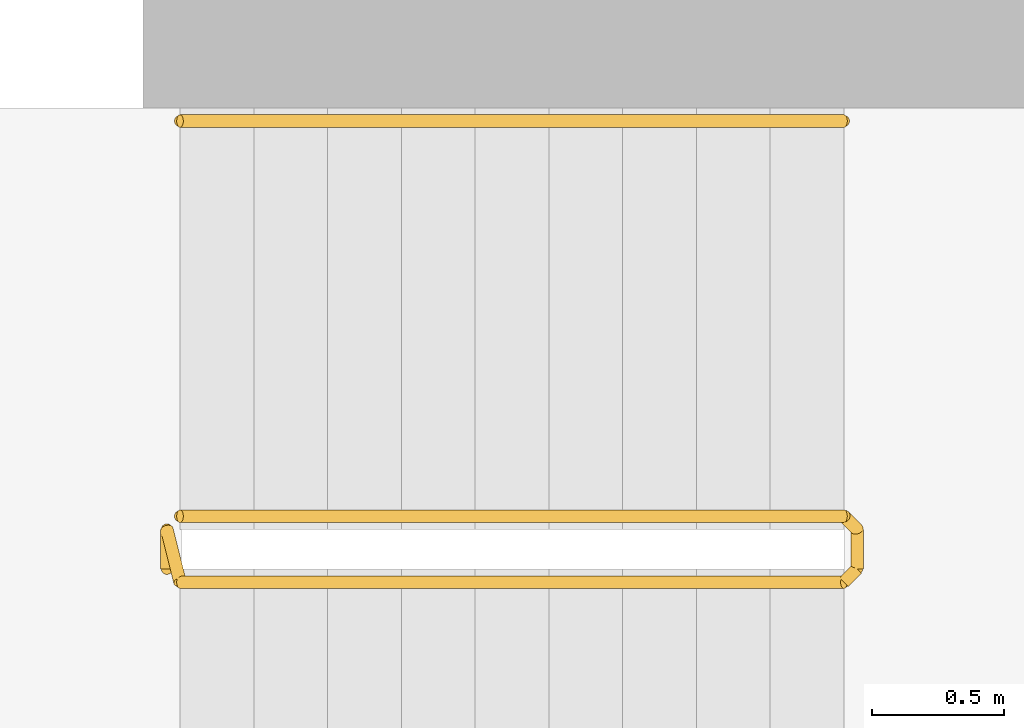
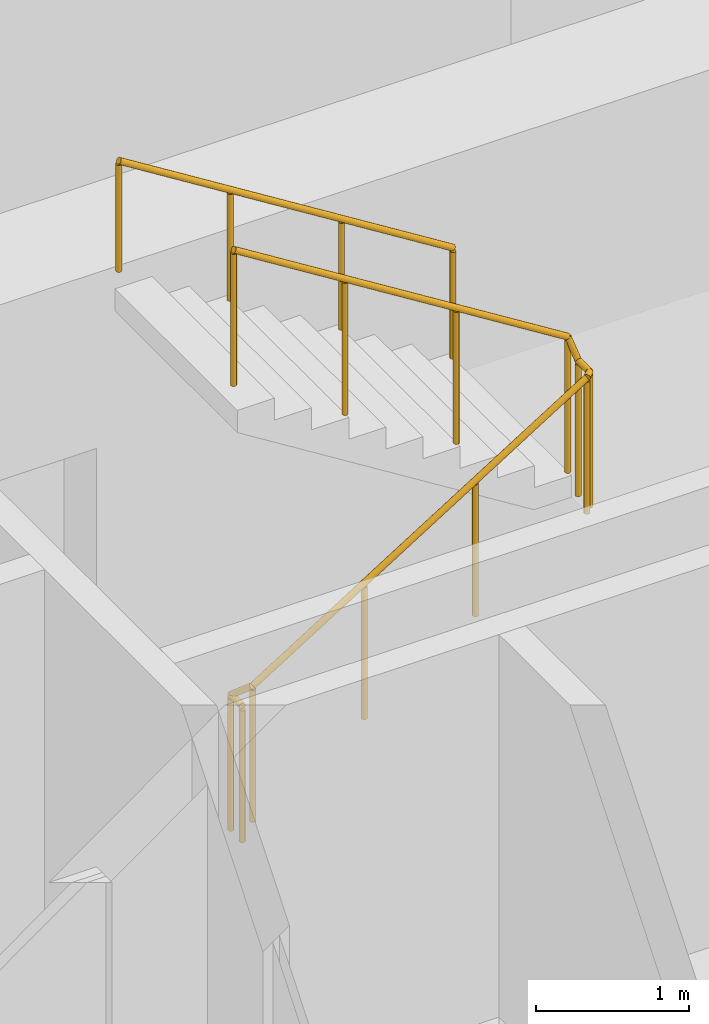
# One storey, part 17 of 17: 2 railings.
"""IFC4 building model written with IfcOpenShell, lengths in metres."""

from ifc_helpers import new_model, si_unit, direction, frame, origin, origin_2d, place, context, subcontext, project, spatial, circle, extrude, material, type_object, element, save


model = new_model("IFC4")

# Units and contexts
model_context = context("Model", 3, precision=1e-05, world=origin(), true_north=direction((0.0, 1.0)))
body_context = subcontext(model_context, "Body", "Model", "MODEL_VIEW")
ifc_project = project(units=[si_unit("LENGTHUNIT", "METRE"), si_unit("AREAUNIT", "SQUARE_METRE"), si_unit("VOLUMEUNIT", "CUBIC_METRE"), si_unit("PLANEANGLEUNIT", "RADIAN"), si_unit("MASSUNIT", "GRAM", prefix="KILO")], contexts=[model_context])

# Site, building, storey
site_placement = place(None, origin())
site = spatial("IfcSite", under=ifc_project, at=site_placement, CompositionType="ELEMENT")
building_placement = place(site_placement, origin())
building = spatial("IfcBuilding", under=site, at=building_placement, Name="Orlundy Tower", CompositionType="ELEMENT")
storey_placement = place(building_placement, frame((0.0, 0.0, 296.39990234375)))
storey = spatial("IfcBuildingStorey", under=building, at=storey_placement, Name="L79", CompositionType="ELEMENT", Elevation=296.39990234375)

# Railings
ifc_material_1 = material(Name="Steel balustrade", Category="steel")
railing_type_1 = type_object("IfcRailingType", Name="Stair Guard 1100", PredefinedType="GUARDRAIL", material=ifc_material_1)
railing_1_placement = place(storey_placement, frame((13.090087890625, 9.35009765625, 0.0)))
element("IfcRailing", 1, at=railing_1_placement, inside=storey, type_object=railing_type_1, Name="L79 ST-E2 stair guard 1", PredefinedType="GUARDRAIL", context=body_context, shape_type="SweptSolid", body=[
    extrude(circle(Radius=0.02392578125, at=origin_2d()), frame((0.0, 0.0, 1.076171875), z_axis=(0.0, 1.0, 0.0), x_axis=(-1.0, 0.0, 0.0)), (0.0, 0.0, 1.0), 0.14990234375),
    extrude(circle(Radius=0.02392578125, at=origin_2d()), frame((0.0, 0.14990234375, 1.076171875), z_axis=(0.18420542264, -0.739530593833, 0.647427882513), x_axis=(0.970351222016, 0.241699205484, 0.0)), (0.0, 0.0, 1.0), 0.270263671875),
    extrude(circle(Radius=0.02392578125, at=origin_2d()), frame((0.0498046875, -0.050048828125, 1.2509765625), z_axis=(0.848007534815, 0.0, 0.529984170421), x_axis=(0.0, 1.0, 0.0)), (0.0, 0.0, 1.0), 2.9716796875),
    extrude(circle(Radius=0.02392578125, at=origin_2d()), frame((2.56982421875, -0.050048828125, 2.826171875), z_axis=(0.707106781187, 0.707106781187, 0.0), x_axis=(-0.707106781187, 0.707106781187, 0.0)), (0.0, 0.0, 1.0), 0.07080078125),
    extrude(circle(Radius=0.02392578125, at=origin_2d()), frame((2.619873046875, 0.0, 2.826171875), z_axis=(0.0, 1.0, 0.0), x_axis=(-1.0, 0.0, 0.0)), (0.0, 0.0, 1.0), 0.14990234375),
    extrude(circle(Radius=0.02392578125, at=origin_2d()), frame((2.619873046875, 0.14990234375, 2.826171875), z_axis=(-0.265065253269, 0.265065253269, 0.927081885822), x_axis=(-0.707106781187, -0.707106781187, 0.0)), (0.0, 0.0, 1.0), 0.188720703125),
    extrude(circle(Radius=0.02392578125, at=origin_2d()), frame((2.56982421875, 0.199951171875, 3.0009765625), z_axis=(-0.848007534815, 0.0, 0.529984170421), x_axis=(0.0, -1.0, 0.0)), (0.0, 0.0, 1.0), 2.9716796875),
    extrude(circle(Radius=0.02099609375, at=origin_2d()), origin(), (0.0, 0.0, 1.0), 1.052001953125),
    extrude(circle(Radius=0.02099609375, at=origin_2d()), frame((0.0, 0.14990234375, 0.0)), (0.0, 0.0, 1.0), 1.052001953125),
    extrude(circle(Radius=0.02099609375, at=origin_2d()), frame((0.0498046875, -0.050048828125, 0.175048828125)), (0.0, 0.0, 1.0), 1.052001953125),
    extrude(circle(Radius=0.02099609375, at=origin_2d()), frame((0.889892578125, -0.050048828125, 0.699951171875)), (0.0, 0.0, 1.0), 1.052001953125),
    extrude(circle(Radius=0.02099609375, at=origin_2d()), frame((1.729736328125, -0.050048828125, 1.22509765625)), (0.0, 0.0, 1.0), 1.052001953125),
    extrude(circle(Radius=0.02099609375, at=origin_2d()), frame((2.56982421875, -0.050048828125, 1.75)), (0.0, 0.0, 1.0), 1.052001953125),
    extrude(circle(Radius=0.02099609375, at=origin_2d()), frame((2.619873046875, 0.0, 1.75)), (0.0, 0.0, 1.0), 1.052001953125),
    extrude(circle(Radius=0.02099609375, at=origin_2d()), frame((2.619873046875, 0.14990234375, 1.75)), (0.0, 0.0, 1.0), 1.052001953125),
    extrude(circle(Radius=0.02099609375, at=origin_2d()), frame((2.56982421875, 0.199951171875, 1.925048828125)), (0.0, 0.0, 1.0), 1.052001953125),
    extrude(circle(Radius=0.02099609375, at=origin_2d()), frame((1.729736328125, 0.199951171875, 2.449951171875)), (0.0, 0.0, 1.0), 1.052001953125),
    extrude(circle(Radius=0.02099609375, at=origin_2d()), frame((0.889892578125, 0.199951171875, 2.97509765625)), (0.0, 0.0, 1.0), 1.052001953125),
    extrude(circle(Radius=0.02099609375, at=origin_2d()), frame((0.0498046875, 0.199951171875, 3.5)), (0.0, 0.0, 1.0), 1.052001953125),
])
ifc_material_2 = material(Name="Steel handrail", Category="steel")
railing_type_2 = type_object("IfcRailingType", Name="Stair Handrail 900", PredefinedType="HANDRAIL", material=ifc_material_2)
railing_2_placement = place(storey_placement, frame((15.659912109375, 11.050048828125, 1.925048828125)))
element("IfcRailing", 2, at=railing_2_placement, inside=storey, type_object=railing_type_2, Name="L79 ST-E2 stair handrail 2", PredefinedType="HANDRAIL", context=body_context, shape_type="SweptSolid", body=[
    extrude(circle(Radius=0.02392578125, at=origin_2d()), frame((0.0, 0.0, 0.8759765625), z_axis=(-0.848007534815, 0.0, 0.529984170421), x_axis=(0.0, -1.0, 0.0)), (0.0, 0.0, 1.0), 2.9716796875),
    extrude(circle(Radius=0.02099609375, at=origin_2d()), origin(), (0.0, 0.0, 1.0), 0.851806640625),
    extrude(circle(Radius=0.02099609375, at=origin_2d()), frame((-0.840087890625, 0.0, 0.52490234375)), (0.0, 0.0, 1.0), 0.851806640625),
    extrude(circle(Radius=0.02099609375, at=origin_2d()), frame((-1.679931640625, 0.0, 1.050048828125)), (0.0, 0.0, 1.0), 0.851806640625),
    extrude(circle(Radius=0.02099609375, at=origin_2d()), frame((-2.52001953125, 0.0, 1.574951171875)), (0.0, 0.0, 1.0), 0.851806640625),
])

save(model, "model.ifc")
